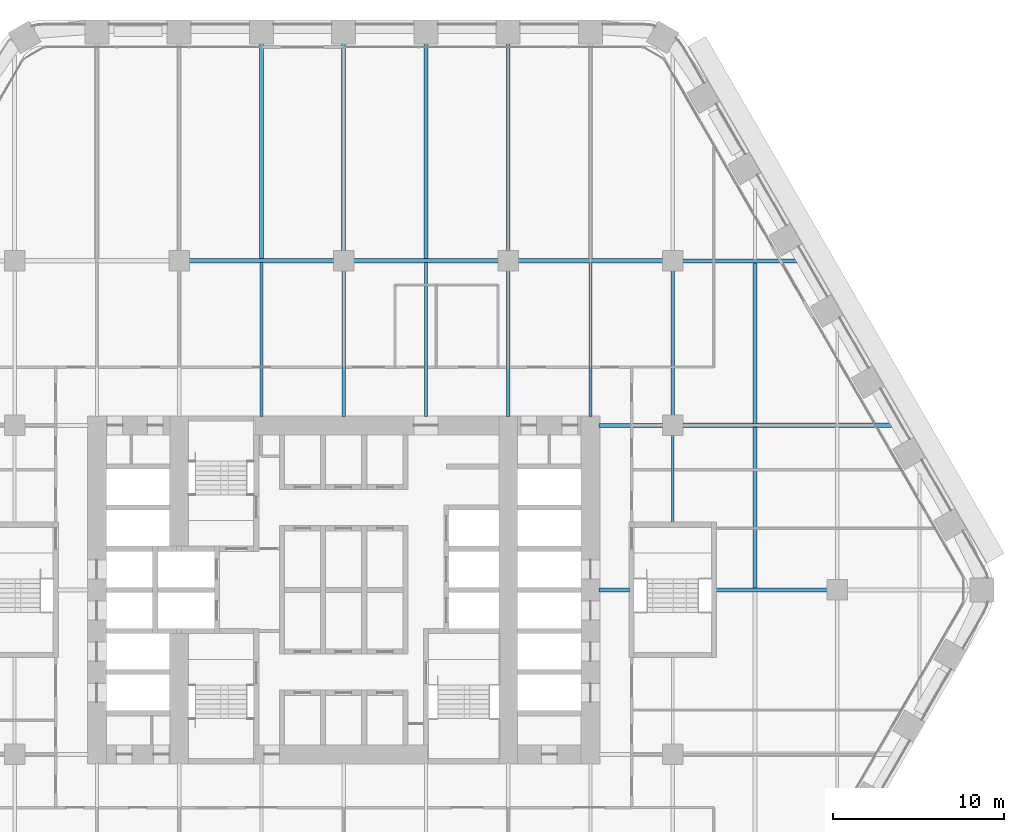
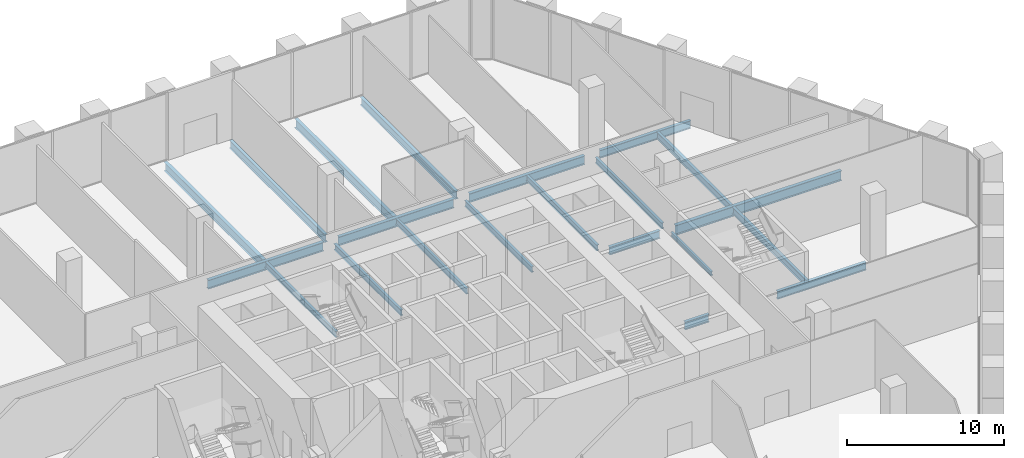
# One storey, part 9 of 27: 21 beams.
"""IFC4 building model written with IfcOpenShell, lengths in metres."""

import ifcopenshell
import ifcopenshell.guid

model = None  # the IFC model being written
_history = None  # IfcOwnerHistory: only IFC2X3 demands one
_inside = {}  # id of a spatial element -> (the spatial element, [elements in it])
_under = {}  # id of a project, library or spatial element -> (it, [spatial elements below it])
_declared = {}  # id of a project -> (the project, [libraries it declares])
_typed = {}  # id of a type object -> (the type object, [elements of that type])
_made_of = {}  # id of a material, layer set ... -> (it, [elements and type objects made of it])


def new_model(schema):
    """Start an empty IFC model of exactly this schema.

    Asked for "IFC4X3", IfcOpenShell would pick the latest addendum, in which some entities
    have other attributes; the version numbers below select the first issue.
    IFC2X3 requires an IfcOwnerHistory on every rooted entity: one is made here for all.
    """
    global model, _history
    if schema == "IFC4X3":
        model = ifcopenshell.file(schema_version=(4, 3, 0, 0))
    else:
        model = ifcopenshell.file(schema=schema)
    _inside.clear()
    _under.clear()
    _declared.clear()
    _typed.clear()
    _made_of.clear()
    _history = None
    if model.schema == "IFC2X3":
        org = make("IfcOrganization", Name="unknown")
        user = make(
            "IfcPersonAndOrganization",
            ThePerson=make("IfcPerson", FamilyName="unknown"),
            TheOrganization=org,
        )
        app = make(
            "IfcApplication",
            ApplicationDeveloper=org,
            Version="unknown",
            ApplicationFullName="unknown",
            ApplicationIdentifier="unknown",
        )
        _history = make(
            "IfcOwnerHistory",
            OwningUser=user,
            OwningApplication=app,
            ChangeAction="ADDED",
            CreationDate=0,
        )
    return model


def make(cls, **values):
    """One entity of the class cls with the attributes given. An attribute that is None is left unset."""
    return model.create_entity(
        cls, **{name: value for name, value in values.items() if value is not None}
    )


def rooted(cls, **values):
    """An entity with a GlobalId (a new one), such as an element, a storey or a relation."""
    return make(cls, GlobalId=ifcopenshell.guid.new(), OwnerHistory=_history, **values)


def si_unit(unit_type, name, prefix=None):
    """IfcSIUnit, for example si_unit("LENGTHUNIT", "METRE", prefix="MILLI")."""
    return make("IfcSIUnit", UnitType=unit_type, Prefix=prefix, Name=name)


def assignment(units):
    """IfcUnitAssignment: the units of a project."""
    return None if units is None else make("IfcUnitAssignment", Units=units)


def point(xyz):
    """IfcCartesianPoint."""
    return None if xyz is None else make("IfcCartesianPoint", Coordinates=xyz)


def direction(xyz):
    """IfcDirection."""
    return None if xyz is None else make("IfcDirection", DirectionRatios=xyz)


def frame(location, z_axis=None, x_axis=None):
    """IfcAxis2Placement3D, a coordinate frame: its origin and axes. An axis left out is left unset."""
    return make(
        "IfcAxis2Placement3D",
        Location=point(location),
        Axis=direction(z_axis),
        RefDirection=direction(x_axis),
    )


def frame_2d(location, x_axis=None):
    """IfcAxis2Placement2D, a coordinate frame in the plane: its origin and x axis."""
    return make(
        "IfcAxis2Placement2D", Location=point(location), RefDirection=direction(x_axis)
    )


def origin():
    """The frame at (0, 0, 0) with its axes left unset."""
    return frame((0.0, 0.0, 0.0))


def origin_2d():
    """The frame at (0, 0) in the plane with its x axis left unset."""
    return frame_2d((0.0, 0.0))


def place(relative_to, where):
    """IfcLocalPlacement: puts the frame where relative to a parent placement (None: the world)."""
    return make(
        "IfcLocalPlacement", PlacementRelTo=relative_to, RelativePlacement=where
    )


def context(
    kind, dimensions, precision=None, world=None, true_north=None, identifier=None
):
    """IfcGeometricRepresentationContext, for example the 3D "Model" context."""
    return make(
        "IfcGeometricRepresentationContext",
        ContextIdentifier=identifier,
        ContextType=kind,
        CoordinateSpaceDimension=dimensions,
        Precision=precision,
        WorldCoordinateSystem=world,
        TrueNorth=true_north,
    )


def subcontext(parent, identifier, kind, view, scale=None):
    """IfcGeometricRepresentationSubContext, for example "Body" below "Model"."""
    return make(
        "IfcGeometricRepresentationSubContext",
        ContextIdentifier=identifier,
        ContextType=kind,
        ParentContext=parent,
        TargetScale=scale,
        TargetView=view,
    )


def project(units=None, contexts=None):
    """IfcProject with its units and contexts."""
    return rooted(
        "IfcProject",
        Name="project",
        RepresentationContexts=contexts,
        UnitsInContext=assignment(units),
    )


def spatial(cls, under=None, at=None, **own):
    """A site, building, storey or space (cls), placed at a placement, below another one or the project."""
    s = rooted(cls, ObjectPlacement=at, **own)
    if under is not None:
        _under.setdefault(under.id(), (under, []))[1].append(s)
    return s


def profile(cls, at=None, kind="AREA", **sizes):
    """A parametric profile (cls). Its sizes go by their IFC names, for example OverallWidth=200.0."""
    return make(cls, ProfileType=kind, Position=at, **sizes)


def i_section(**sizes):
    """IfcIShapeProfileDef."""
    return profile("IfcIShapeProfileDef", **sizes)


def extrude(swept, where, along, depth):
    """IfcExtrudedAreaSolid: the profile swept, set in the frame where, extruded along a direction by depth."""
    return make(
        "IfcExtrudedAreaSolid",
        SweptArea=swept,
        Position=where,
        ExtrudedDirection=direction(along),
        Depth=depth,
    )


def shape(context_of_items, identifier, shape_type, items):
    """IfcShapeRepresentation: the items that make up one representation, for example the "Body"."""
    return make(
        "IfcShapeRepresentation",
        ContextOfItems=context_of_items,
        RepresentationIdentifier=identifier,
        RepresentationType=shape_type,
        Items=items,
    )


def material(Name=None, Category=None):
    """IfcMaterial."""
    return make("IfcMaterial", Name=Name, Category=Category)


def material_profile(
    of_material, cross_section, Name=None, Category=None, Priority=None
):
    """IfcMaterialProfile: a cross section and its material."""
    return make(
        "IfcMaterialProfile",
        Name=Name,
        Material=of_material,
        Profile=cross_section,
        Priority=Priority,
        Category=Category,
    )


def profile_set(profiles, Name=None, composite=None):
    """IfcMaterialProfileSet."""
    return make(
        "IfcMaterialProfileSet",
        Name=Name,
        MaterialProfiles=profiles,
        CompositeProfile=composite,
    )


def made_of(thing, what):
    """Note that an element or type object is made of a material, layer set ...; save() writes the relation."""
    if what is not None:
        _made_of.setdefault(what.id(), (what, []))[1].append(thing)
    return thing


def type_object(cls, material=None, **own):
    """A type object (cls), such as IfcWallType, which elements share."""
    return made_of(rooted(cls, **own), material)


def element(
    cls,
    number,
    at=None,
    inside=None,
    cuts=None,
    type_object=None,
    material=None,
    context=None,
    identifier="Body",
    shape_type=None,
    held_by="IfcProductDefinitionShape",
    body=None,
    shapes=None,
    **own,
):
    """One element of the class cls, such as IfcWall. Its Tag is "e" and its number.

    at: its placement. inside: the storey or other place that contains it. cuts: it is an
    opening in that element (IfcRelVoidsElement). A single representation is given by context,
    identifier, shape_type and body (its items); several are given by shapes. held_by: the class
    of the entity that holds the representations. save() writes the other relations.
    """
    e = rooted(cls, Tag="e%d" % number, ObjectPlacement=at, **own)
    if body is not None:
        shapes = [shape(context, identifier, shape_type, body)]
    if shapes is not None:
        e.Representation = make(held_by, Representations=shapes)
    if inside is not None:
        _inside.setdefault(inside.id(), (inside, []))[1].append(e)
    if cuts is not None:
        rooted(
            "IfcRelVoidsElement", RelatingBuildingElement=cuts, RelatedOpeningElement=e
        )
    if type_object is not None:
        _typed.setdefault(type_object.id(), (type_object, []))[1].append(e)
    return made_of(e, material)


def aggregate(whole, parts):
    """IfcRelAggregates: a whole, such as a stair, and the parts it consists of."""
    return rooted("IfcRelAggregates", RelatingObject=whole, RelatedObjects=parts)


def save(model, path):
    """Write the relations noted so far, then the file.

    IfcRelAggregates (storeys below a building ...), IfcRelContainedInSpatialStructure (elements
    in a storey), IfcRelDefinesByType, IfcRelAssociatesMaterial and IfcRelDeclares: one each for
    every whole, place, type object, material and project.
    """
    for whole, parts in _under.values():
        aggregate(whole, parts)
    for where, things in _inside.values():
        rooted(
            "IfcRelContainedInSpatialStructure",
            RelatedElements=things,
            RelatingStructure=where,
        )
    for kind, things in _typed.values():
        rooted("IfcRelDefinesByType", RelatedObjects=things, RelatingType=kind)
    for what, things in _made_of.values():
        rooted("IfcRelAssociatesMaterial", RelatedObjects=things, RelatingMaterial=what)
    for by, libraries in _declared.values():
        rooted("IfcRelDeclares", RelatingContext=by, RelatedDefinitions=libraries)
    model.write(path)


model = new_model("IFC4")

# Units and contexts
model_context = context("Model", 3, precision=1e-05, world=origin(), true_north=direction((0.0, 1.0)))
body_context = subcontext(model_context, "Body", "Model", "MODEL_VIEW")
ifc_project = project(units=[si_unit("LENGTHUNIT", "METRE"), si_unit("AREAUNIT", "SQUARE_METRE"), si_unit("VOLUMEUNIT", "CUBIC_METRE"), si_unit("PLANEANGLEUNIT", "RADIAN"), si_unit("MASSUNIT", "GRAM", prefix="KILO")], contexts=[model_context])

# Site, building, storey
site_placement = place(None, origin())
site = spatial("IfcSite", under=ifc_project, at=site_placement, CompositionType="ELEMENT")
building_placement = place(site_placement, origin())
building = spatial("IfcBuilding", under=site, at=building_placement, Name="Kolab Exchange Tower", CompositionType="ELEMENT")
storey_placement = place(building_placement, frame((0.0, 0.0, 27.89990234375)))
storey = spatial("IfcBuildingStorey", under=building, at=storey_placement, Name="L05", CompositionType="ELEMENT", Elevation=27.89990234375)

# Beams
ifc_material = material(Name="Steel S355", Category="steel")
ifc_material_profile_1 = material_profile(ifc_material, i_section(OverallWidth=0.1650390625, OverallDepth=0.31005859375, WebThickness=0.005859375, FlangeThickness=0.009765625, at=origin_2d()), Name="W310X39")
ifc_profile_set_1 = profile_set([ifc_material_profile_1], Name="Steel S355")
beam_type_1 = type_object("IfcBeamType", Name="FLOOR BEAM W310X39", PredefinedType="BEAM", material=ifc_profile_set_1)
beam_1_placement = place(storey_placement, frame((19.199951171875, 3.909912109375, -0.40478515625), z_axis=(0.0, 1.0, 0.0), x_axis=(-1.0, 0.0, 0.0)))
element("IfcBeam", 1, at=beam_1_placement, inside=storey, type_object=beam_type_1, Name="beam/L05/fr/049", PredefinedType="BEAM", context=body_context, shape_type="SweptSolid", body=[
    extrude(i_section(OverallWidth=0.1650390625, OverallDepth=0.31005859375, WebThickness=0.005859375, FlangeThickness=0.009765625, at=origin_2d()), origin(), (0.0, 0.0, 1.0), 5.130126953125),
])
ifc_material_profile_2 = material_profile(ifc_material, i_section(OverallWidth=0.18994140625, OverallDepth=0.45703125, WebThickness=0.009033203125, FlangeThickness=0.014404296875, at=origin_2d()), Name="W460X74")
ifc_profile_set_2 = profile_set([ifc_material_profile_2], Name="Steel S355")
beam_type_2 = type_object("IfcBeamType", Name="FLOOR BEAM W460X74", PredefinedType="BEAM", material=ifc_profile_set_2)
beam_2_placement = place(storey_placement, frame((-4.800048828125, 10.110107421875, -0.478515625), z_axis=(0.0, 1.0, 0.0), x_axis=(-1.0, 0.0, 0.0)))
element("IfcBeam", 2, at=beam_2_placement, inside=storey, type_object=beam_type_2, Name="beam/L05/fr/028", PredefinedType="BEAM", context=body_context, shape_type="SweptSolid", body=[
    extrude(i_section(OverallWidth=0.18994140625, OverallDepth=0.45703125, WebThickness=0.009033203125, FlangeThickness=0.014404296875, at=origin_2d()), origin(), (0.0, 0.0, 1.0), 9.0029296875),
])
beam_3_placement = place(storey_placement, frame((0.0, 10.110107421875, -0.478515625), z_axis=(0.0, 1.0, 0.0), x_axis=(-1.0, 0.0, 0.0)))
element("IfcBeam", 3, at=beam_3_placement, inside=storey, type_object=beam_type_2, Name="beam/L05/fr/032", PredefinedType="BEAM", context=body_context, shape_type="SweptSolid", body=[
    extrude(i_section(OverallWidth=0.18994140625, OverallDepth=0.45703125, WebThickness=0.009033203125, FlangeThickness=0.014404296875, at=origin_2d()), origin(), (0.0, 0.0, 1.0), 8.52978515625),
])
beam_4_placement = place(storey_placement, frame((4.800048828125, 10.110107421875, -0.478515625), z_axis=(0.0, 1.0, 0.0), x_axis=(-1.0, 0.0, 0.0)))
element("IfcBeam", 4, at=beam_4_placement, inside=storey, type_object=beam_type_2, Name="beam/L05/fr/036", PredefinedType="BEAM", context=body_context, shape_type="SweptSolid", body=[
    extrude(i_section(OverallWidth=0.18994140625, OverallDepth=0.45703125, WebThickness=0.009033203125, FlangeThickness=0.014404296875, at=origin_2d()), origin(), (0.0, 0.0, 1.0), 9.0029296875),
])
beam_5_placement = place(storey_placement, frame((9.60009765625, 10.110107421875, -0.478515625), z_axis=(0.0, 1.0, 0.0), x_axis=(-1.0, 0.0, 0.0)))
element("IfcBeam", 5, at=beam_5_placement, inside=storey, type_object=beam_type_2, Name="beam/L05/fr/040", PredefinedType="BEAM", context=body_context, shape_type="SweptSolid", body=[
    extrude(i_section(OverallWidth=0.18994140625, OverallDepth=0.45703125, WebThickness=0.009033203125, FlangeThickness=0.014404296875, at=origin_2d()), origin(), (0.0, 0.0, 1.0), 8.52978515625),
])
beam_6_placement = place(storey_placement, frame((14.39990234375, 10.110107421875, -0.478515625), z_axis=(0.0, 1.0, 0.0), x_axis=(-1.0, 0.0, 0.0)))
element("IfcBeam", 6, at=beam_6_placement, inside=storey, type_object=beam_type_2, Name="beam/L05/fr/044", PredefinedType="BEAM", context=body_context, shape_type="SweptSolid", body=[
    extrude(i_section(OverallWidth=0.18994140625, OverallDepth=0.45703125, WebThickness=0.009033203125, FlangeThickness=0.014404296875, at=origin_2d()), origin(), (0.0, 0.0, 1.0), 9.0029296875),
])
beam_7_placement = place(storey_placement, frame((19.199951171875, 10.159912109375, -0.478515625), z_axis=(0.0, 1.0, 0.0), x_axis=(-1.0, 0.0, 0.0)))
element("IfcBeam", 7, at=beam_7_placement, inside=storey, type_object=beam_type_2, Name="beam/L05/fr/050", PredefinedType="BEAM", context=body_context, shape_type="SweptSolid", body=[
    extrude(i_section(OverallWidth=0.18994140625, OverallDepth=0.45703125, WebThickness=0.009033203125, FlangeThickness=0.014404296875, at=origin_2d()), origin(), (0.0, 0.0, 1.0), 8.47998046875),
])
ifc_material_profile_3 = material_profile(ifc_material, i_section(OverallWidth=0.208984375, OverallDepth=0.532958984375, WebThickness=0.01025390625, FlangeThickness=0.015625, at=origin_2d()), Name="W530X92")
ifc_profile_set_3 = profile_set([ifc_material_profile_3], Name="Steel S355")
beam_type_3 = type_object("IfcBeamType", Name="FLOOR BEAM W530X92", PredefinedType="BEAM", material=ifc_profile_set_3)
beam_8_placement = place(storey_placement, frame((24.0, 0.073974609375, -0.516357421875), z_axis=(0.0, 1.0, 0.0), x_axis=(-1.0, 0.0, 0.0)))
element("IfcBeam", 8, at=beam_8_placement, inside=storey, type_object=beam_type_3, Name="beam/L05/fr/055", PredefinedType="BEAM", context=body_context, shape_type="SweptSolid", body=[
    extrude(i_section(OverallWidth=0.208984375, OverallDepth=0.532958984375, WebThickness=0.01025390625, FlangeThickness=0.015625, at=origin_2d()), origin(), (0.0, 0.0, 1.0), 9.4326171875),
])
beam_9_placement = place(storey_placement, frame((24.0, 9.693603515625, -0.516357421875), z_axis=(0.0, 1.0, 0.0), x_axis=(-1.0, 0.0, 0.0)))
element("IfcBeam", 9, at=beam_9_placement, inside=storey, type_object=beam_type_3, Name="beam/L05/fr/056", PredefinedType="BEAM", context=body_context, shape_type="SweptSolid", body=[
    extrude(i_section(OverallWidth=0.208984375, OverallDepth=0.532958984375, WebThickness=0.01025390625, FlangeThickness=0.015625, at=origin_2d()), origin(), (0.0, 0.0, 1.0), 9.432373046875),
])
ifc_material_profile_4 = material_profile(ifc_material, i_section(OverallWidth=0.22802734375, OverallDepth=0.60791015625, WebThickness=0.01123046875, FlangeThickness=0.017333984375, at=origin_2d()), Name="W610X113")
ifc_profile_set_4 = profile_set([ifc_material_profile_4], Name="Steel S355")
beam_type_4 = type_object("IfcBeamType", Name="FLOOR BEAM W610X113", PredefinedType="BEAM", material=ifc_profile_set_4)
for number, where, z_axis, x_axis, name in (
    (10, (0.0, 19.760009765625, -0.553955078125), (0.0, 1.0, 0.0), (-1.0, 0.0, 0.0), "beam/L05/fr/033"),
    (11, (9.60009765625, 19.760009765625, -0.553955078125), (0.0, 1.0, 0.0), (-1.0, 0.0, 0.0), "beam/L05/fr/041"),
):
    element("IfcBeam", number, at=place(storey_placement, frame(where, z_axis=z_axis, x_axis=x_axis)), inside=storey, type_object=beam_type_4, Name=name, PredefinedType="BEAM", context=body_context, shape_type="SweptSolid", body=[
        extrude(i_section(OverallWidth=0.22802734375, OverallDepth=0.60791015625, WebThickness=0.01123046875, FlangeThickness=0.017333984375, at=origin_2d()), origin(), (0.0, 0.0, 1.0), 12.135498046875),
    ])
ifc_material_profile_5 = material_profile(ifc_material, i_section(OverallWidth=0.25390625, OverallDepth=0.68408203125, WebThickness=0.012451171875, FlangeThickness=0.018798828125, at=origin_2d()), Name="W690X140")
ifc_profile_set_5 = profile_set([ifc_material_profile_5], Name="Steel S355")
beam_type_5 = type_object("IfcBeamType", Name="FLOOR BEAM W690X140", PredefinedType="BEAM", material=ifc_profile_set_5)
for number, where, z_axis, x_axis, name in (
    (12, (-4.800048828125, 19.287109375, -0.591796875), (0.0, 1.0, 0.0), (-1.0, 0.0, 0.0), "beam/L05/fr/029"),
    (13, (4.800048828125, 19.287109375, -0.591796875), (0.0, 1.0, 0.0), (-1.0, 0.0, 0.0), "beam/L05/fr/037"),
):
    element("IfcBeam", number, at=place(storey_placement, frame(where, z_axis=z_axis, x_axis=x_axis)), inside=storey, type_object=beam_type_5, Name=name, PredefinedType="BEAM", context=body_context, shape_type="SweptSolid", body=[
        extrude(i_section(OverallWidth=0.25390625, OverallDepth=0.68408203125, WebThickness=0.012451171875, FlangeThickness=0.018798828125, at=origin_2d()), origin(), (0.0, 0.0, 1.0), 12.6083984375),
    ])
ifc_material_profile_6 = material_profile(ifc_material, i_section(OverallWidth=0.22802734375, OverallDepth=0.60791015625, WebThickness=0.01123046875, FlangeThickness=0.017333984375, at=origin_2d()), Name="W610X113")
ifc_profile_set_6 = profile_set([ifc_material_profile_6], Name="Steel S355")
beam_type_6 = type_object("IfcBeamType", Name="FLOOR GIRDER W610X113", PredefinedType="BEAM", material=ifc_profile_set_6)
beam_10_placement = place(storey_placement, frame((14.909912109375, 0.0, -0.553955078125), z_axis=(1.0, 0.0, 0.0), x_axis=(0.0, 1.0, 0.0)))
element("IfcBeam", 14, at=beam_10_placement, inside=storey, type_object=beam_type_6, Name="beam/L05/gd/018", PredefinedType="BEAM", context=body_context, shape_type="SweptSolid", body=[
    extrude(i_section(OverallWidth=0.22802734375, OverallDepth=0.60791015625, WebThickness=0.01123046875, FlangeThickness=0.017333984375, at=origin_2d()), origin(), (0.0, 0.0, 1.0), 1.780029296875),
])
beam_11_placement = place(storey_placement, frame((14.909912109375, 9.60009765625, -0.553955078125), z_axis=(1.0, 0.0, 0.0), x_axis=(0.0, 1.0, 0.0)))
element("IfcBeam", 15, at=beam_11_placement, inside=storey, type_object=beam_type_6, Name="beam/L05/gd/019", PredefinedType="BEAM", context=body_context, shape_type="SweptSolid", body=[
    extrude(i_section(OverallWidth=0.22802734375, OverallDepth=0.60791015625, WebThickness=0.01123046875, FlangeThickness=0.017333984375, at=origin_2d()), origin(), (0.0, 0.0, 1.0), 3.72998046875),
])
beam_12_placement = place(storey_placement, frame((19.760009765625, 19.199951171875, -0.553955078125), z_axis=(1.0, 0.0, 0.0), x_axis=(0.0, 1.0, 0.0)))
element("IfcBeam", 16, at=beam_12_placement, inside=storey, type_object=beam_type_6, Name="beam/L05/gd/023", PredefinedType="BEAM", context=body_context, shape_type="SweptSolid", body=[
    extrude(i_section(OverallWidth=0.22802734375, OverallDepth=0.60791015625, WebThickness=0.01123046875, FlangeThickness=0.017333984375, at=origin_2d()), origin(), (0.0, 0.0, 1.0), 6.671142578125),
])
beam_13_placement = place(storey_placement, frame((21.7099609375, 0.0, -0.553955078125), z_axis=(1.0, 0.0, 0.0), x_axis=(0.0, 1.0, 0.0)))
element("IfcBeam", 17, at=beam_13_placement, inside=storey, type_object=beam_type_6, Name="beam/L05/gd/024", PredefinedType="BEAM", context=body_context, shape_type="SweptSolid", body=[
    extrude(i_section(OverallWidth=0.22802734375, OverallDepth=0.60791015625, WebThickness=0.01123046875, FlangeThickness=0.017333984375, at=origin_2d()), origin(), (0.0, 0.0, 1.0), 6.530029296875),
])
ifc_material_profile_7 = material_profile(ifc_material, i_section(OverallWidth=0.25390625, OverallDepth=0.68408203125, WebThickness=0.012451171875, FlangeThickness=0.018798828125, at=origin_2d()), Name="W690X140")
ifc_profile_set_7 = profile_set([ifc_material_profile_7], Name="Steel S355")
beam_type_7 = type_object("IfcBeamType", Name="FLOOR GIRDER W690X140", PredefinedType="BEAM", material=ifc_profile_set_7)
for number, where, z_axis, x_axis, name in (
    (18, (-9.0400390625, 19.199951171875, -0.591796875), (1.0, 0.0, 0.0), (0.0, 1.0, 0.0), "beam/L05/gd/012"),
    (19, (0.56005859375, 19.199951171875, -0.591796875), (1.0, 0.0, 0.0), (0.0, 1.0, 0.0), "beam/L05/gd/014"),
    (20, (10.159912109375, 19.199951171875, -0.591796875), (1.0, 0.0, 0.0), (0.0, 1.0, 0.0), "beam/L05/gd/016"),
):
    element("IfcBeam", number, at=place(storey_placement, frame(where, z_axis=z_axis, x_axis=x_axis)), inside=storey, type_object=beam_type_7, Name=name, PredefinedType="BEAM", context=body_context, shape_type="SweptSolid", body=[
        extrude(i_section(OverallWidth=0.25390625, OverallDepth=0.68408203125, WebThickness=0.012451171875, FlangeThickness=0.018798828125, at=origin_2d()), origin(), (0.0, 0.0, 1.0), 8.47998046875),
    ])
ifc_material_profile_8 = material_profile(ifc_material, i_section(OverallWidth=0.26708984375, OverallDepth=0.761962890625, WebThickness=0.014404296875, FlangeThickness=0.021484375, at=origin_2d()), Name="W760X173")
ifc_profile_set_8 = profile_set([ifc_material_profile_8], Name="Steel S355")
beam_type_8 = type_object("IfcBeamType", Name="FLOOR GIRDER W760X173", PredefinedType="BEAM", material=ifc_profile_set_8)
beam_14_placement = place(storey_placement, frame((19.760009765625, 9.60009765625, -0.630859375), z_axis=(1.0, 0.0, 0.0), x_axis=(0.0, 1.0, 0.0)))
element("IfcBeam", 21, at=beam_14_placement, inside=storey, type_object=beam_type_8, Name="beam/L05/gd/022", PredefinedType="BEAM", context=body_context, shape_type="SweptSolid", body=[
    extrude(i_section(OverallWidth=0.26708984375, OverallDepth=0.761962890625, WebThickness=0.014404296875, FlangeThickness=0.021484375, at=origin_2d()), origin(), (0.0, 0.0, 1.0), 12.213623046875),
])

save(model, "model.ifc")
